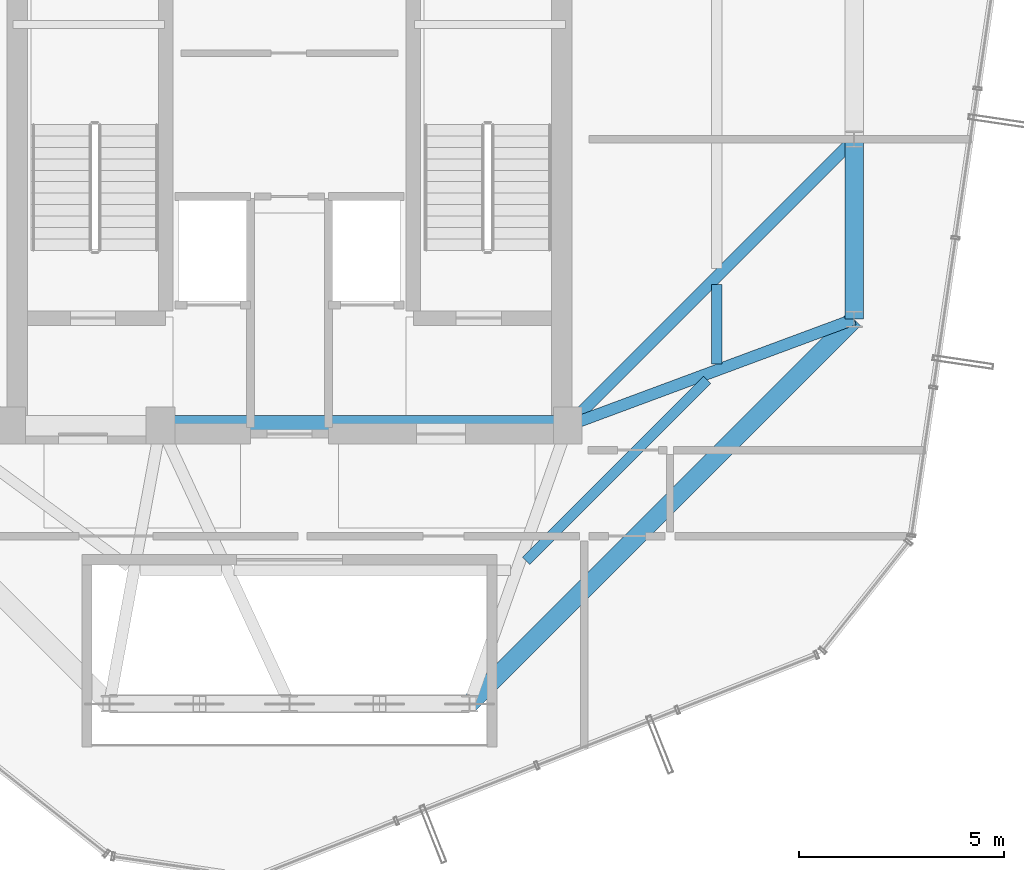
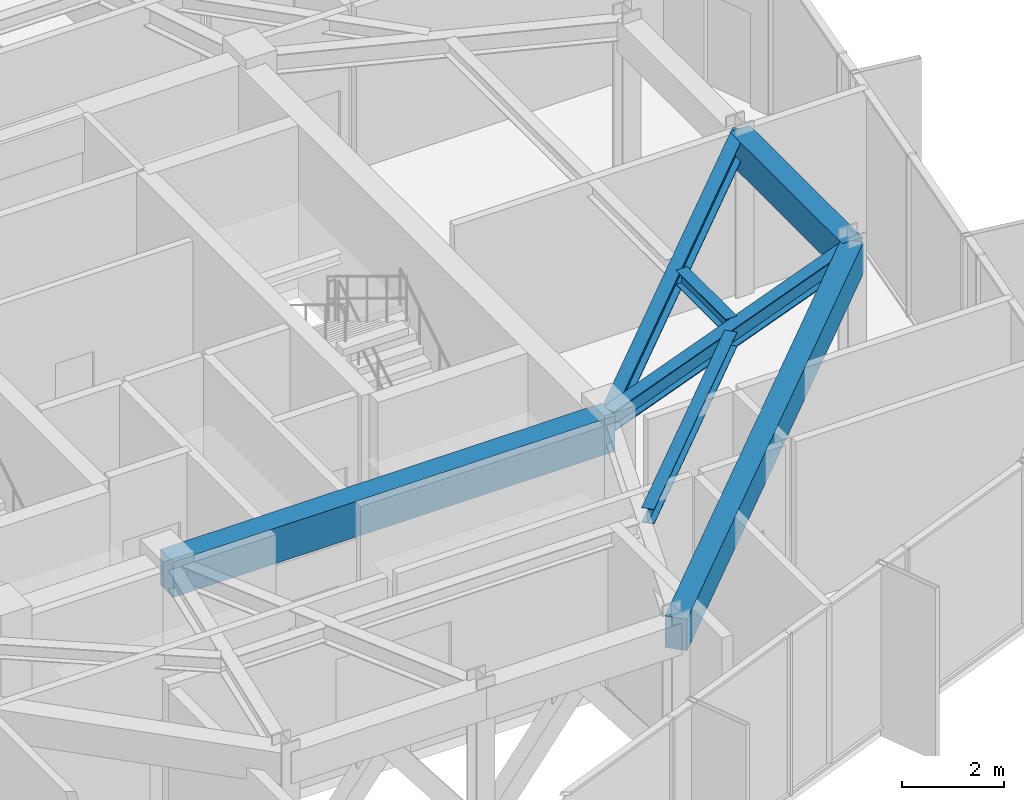
# One storey, part 8 of 22: 7 beams.
"""IFC4 building model written with IfcOpenShell, lengths in metres."""

from ifc_helpers import new_model, si_unit, direction, frame, origin, origin_2d, place, context, subcontext, project, spatial, rectangle, i_section, extrude, material, material_profile, profile_set, type_object, element, save


model = new_model("IFC4")

# Units and contexts
model_context = context("Model", 3, precision=1e-05, world=origin(), true_north=direction((0.0, 1.0)))
body_context = subcontext(model_context, "Body", "Model", "MODEL_VIEW")
ifc_project = project(units=[si_unit("LENGTHUNIT", "METRE"), si_unit("AREAUNIT", "SQUARE_METRE"), si_unit("VOLUMEUNIT", "CUBIC_METRE"), si_unit("PLANEANGLEUNIT", "RADIAN"), si_unit("MASSUNIT", "GRAM", prefix="KILO")], contexts=[model_context])

# Site, building, storey
site_placement = place(None, origin())
site = spatial("IfcSite", under=ifc_project, at=site_placement, CompositionType="ELEMENT")
building_placement = place(site_placement, origin())
building = spatial("IfcBuilding", under=site, at=building_placement, Name="Veraguas Prism Commons", CompositionType="ELEMENT")
storey_placement = place(building_placement, frame((0.0, 0.0, 236.550048828125)))
storey = spatial("IfcBuildingStorey", under=building, at=storey_placement, Name="L67", CompositionType="ELEMENT", Elevation=236.550048828125)

# Beams
ifc_material_1 = material(Name="Concrete C50/60", Category="concrete")
ifc_material_profile_1 = material_profile(ifc_material_1, rectangle(XDim=0.5, YDim=0.85009765625, at=origin_2d()), Name="RC500X850")
ifc_profile_set_1 = profile_set([ifc_material_profile_1], Name="Concrete C50/60")
beam_type_1 = type_object("IfcBeamType", Name="Core Coupling Beam RC 500x850", PredefinedType="BEAM", material=ifc_profile_set_1)
beam_1_placement = place(storey_placement, frame((20.85009765625, 17.0, 3.43994140625), z_axis=(1.0, 0.0, 0.0), x_axis=(0.0, 1.0, 0.0)))
element("IfcBeam", 1, at=beam_1_placement, inside=storey, type_object=beam_type_1, Name="Core Coupling Beam L67-CRS2", PredefinedType="BEAM", context=body_context, shape_type="SweptSolid", body=[
    extrude(rectangle(XDim=0.5, YDim=0.85009765625, at=origin_2d()), origin(), (0.0, 0.0, 1.0), 9.949951171875),
])
ifc_material_profile_2 = material_profile(ifc_material_1, rectangle(XDim=0.449951171875, YDim=0.75, at=origin_2d()), Name="RC450X750")
ifc_profile_set_2 = profile_set([ifc_material_profile_2], Name="Concrete C50/60")
beam_type_2 = type_object("IfcBeamType", Name="Perimeter Spandrel Upper RC 450x750", PredefinedType="SPANDREL", material=ifc_profile_set_2)
beam_2_placement = place(storey_placement, frame((37.800048828125, 19.60009765625, 3.489990234375), z_axis=(0.0, 1.0, 0.0), x_axis=(-1.0, 0.0, 0.0)))
element("IfcBeam", 2, at=beam_2_placement, inside=storey, type_object=beam_type_2, Name="Perimeter Spandrel Beam L67-SP01", PredefinedType="SPANDREL", context=body_context, shape_type="SweptSolid", body=[
    extrude(rectangle(XDim=0.449951171875, YDim=0.75, at=origin_2d()), origin(), (0.0, 0.0, 1.0), 4.39990234375),
])
beam_3_placement = place(storey_placement, frame((28.39990234375, 10.199951171875, 3.489990234375), z_axis=(0.707106781187, 0.707106781187, 0.0), x_axis=(-0.707106781187, 0.707106781187, 0.0)))
element("IfcBeam", 3, at=beam_3_placement, inside=storey, type_object=beam_type_2, Name="Perimeter Spandrel Beam L67-SP12", PredefinedType="SPANDREL", context=body_context, shape_type="SweptSolid", body=[
    extrude(rectangle(XDim=0.449951171875, YDim=0.75, at=origin_2d()), origin(), (0.0, 0.0, 1.0), 13.293701171875),
])
ifc_material_2 = material(Name="Steel ASTM A992 Grade 50", Category="steel")
ifc_material_profile_3 = material_profile(ifc_material_2, i_section(OverallWidth=0.25390625, OverallDepth=0.35302734375, WebThickness=0.009521484375, FlangeThickness=0.016357421875, at=origin_2d()), Name="W360X91")
ifc_profile_set_3 = profile_set([ifc_material_profile_3], Name="Steel ASTM A992 Grade 50")
beam_type_3 = type_object("IfcBeamType", Name="Upper Floor Joist W360x91", PredefinedType="JOIST", material=ifc_profile_set_3)
beam_4_placement = place(storey_placement, frame((34.43994140625, 18.500732421875, 3.6884765625), z_axis=(0.0, 1.0, 0.0), x_axis=(-1.0, 0.0, 0.0)))
element("IfcBeam", 4, at=beam_4_placement, inside=storey, type_object=beam_type_3, Name="Composite Floor Joist L67-JS01", PredefinedType="JOIST", context=body_context, shape_type="SweptSolid", body=[
    extrude(i_section(OverallWidth=0.25390625, OverallDepth=0.35302734375, WebThickness=0.009521484375, FlangeThickness=0.016357421875, at=origin_2d()), origin(), (0.0, 0.0, 1.0), 1.94189453125),
])
beam_5_placement = place(storey_placement, frame((29.780517578125, 13.692626953125, 3.6884765625), z_axis=(0.707126297541, 0.707087264294, 0.0), x_axis=(-0.707087264294, 0.707126297541, 0.0)))
element("IfcBeam", 5, at=beam_5_placement, inside=storey, type_object=beam_type_3, Name="Composite Floor Joist L67-JS12", PredefinedType="JOIST", context=body_context, shape_type="SweptSolid", body=[
    extrude(i_section(OverallWidth=0.25390625, OverallDepth=0.35302734375, WebThickness=0.009521484375, FlangeThickness=0.016357421875, at=origin_2d()), origin(), (0.0, 0.0, 1.0), 6.254638671875),
])
ifc_material_profile_4 = material_profile(ifc_material_2, i_section(OverallWidth=0.282958984375, OverallDepth=0.471923828125, WebThickness=0.013671875, FlangeThickness=0.022216796875, at=origin_2d()), Name="W460X144")
ifc_profile_set_4 = profile_set([ifc_material_profile_4], Name="Steel ASTM A992 Grade 50")
beam_type_4 = type_object("IfcBeamType", Name="Zone 4 Radial Girder W460x144", PredefinedType="BEAM", material=ifc_profile_set_4)
beam_6_placement = place(storey_placement, frame((37.800048828125, 19.60009765625, 3.62890625), z_axis=(-0.937421003341, -0.348198021958, 0.0), x_axis=(0.348198021958, -0.937421003341, 0.0)))
element("IfcBeam", 6, at=beam_6_placement, inside=storey, type_object=beam_type_4, Name="Radial Floor Girder L67-RD01", PredefinedType="BEAM", context=body_context, shape_type="SweptSolid", body=[
    extrude(i_section(OverallWidth=0.282958984375, OverallDepth=0.471923828125, WebThickness=0.013671875, FlangeThickness=0.022216796875, at=origin_2d()), origin(), (0.0, 0.0, 1.0), 7.46728515625),
])
beam_7_placement = place(storey_placement, frame((37.800048828125, 24.0, 3.62890625), z_axis=(-0.707106781187, -0.707106781187, 0.0), x_axis=(0.707106781187, -0.707106781187, 0.0)))
element("IfcBeam", 7, at=beam_7_placement, inside=storey, type_object=beam_type_4, Name="Radial Floor Girder L67-RD02", PredefinedType="BEAM", context=body_context, shape_type="SweptSolid", body=[
    extrude(i_section(OverallWidth=0.282958984375, OverallDepth=0.471923828125, WebThickness=0.013671875, FlangeThickness=0.022216796875, at=origin_2d()), origin(), (0.0, 0.0, 1.0), 9.8994140625),
])

save(model, "model.ifc")
